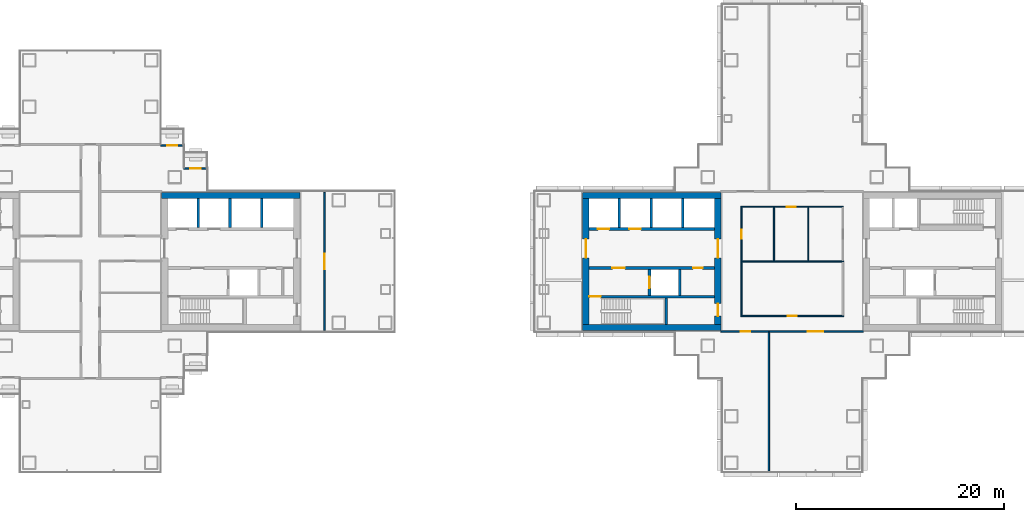
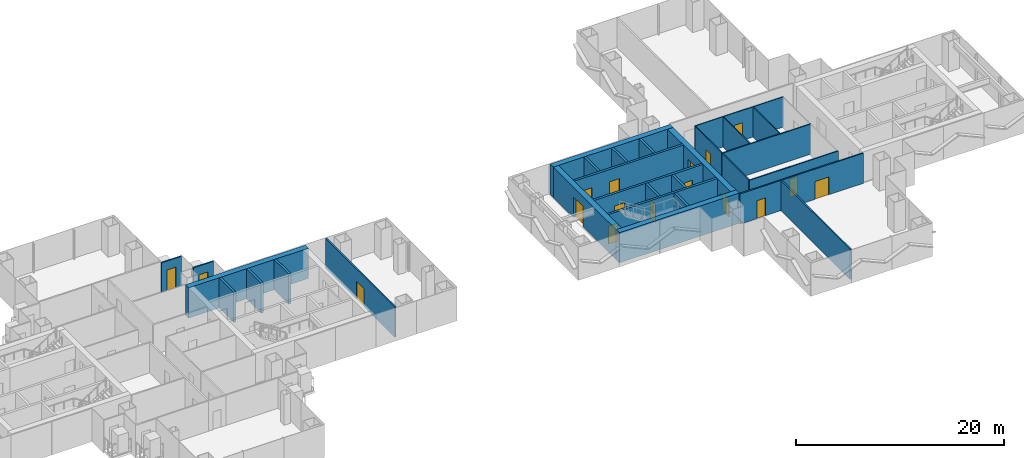
# One storey, part 14 of 20: 29 walls, 17 doors, 17 openings.
"""IFC4 building model written with IfcOpenShell, lengths in metres."""

from ifc_helpers import new_model, si_unit, direction, frame, frame_2d, origin, place, context, subcontext, project, spatial, rectangle, extrude, material, layer, layer_set, type_object, element, fill, save


model = new_model("IFC4")

# Units and contexts
model_context = context("Model", 3, precision=1e-05, world=origin(), true_north=direction((0.0, 1.0)))
body_context = subcontext(model_context, "Body", "Model", "MODEL_VIEW")
ifc_project = project(units=[si_unit("LENGTHUNIT", "METRE"), si_unit("AREAUNIT", "SQUARE_METRE"), si_unit("VOLUMEUNIT", "CUBIC_METRE"), si_unit("PLANEANGLEUNIT", "RADIAN"), si_unit("MASSUNIT", "GRAM", prefix="KILO")], contexts=[model_context])

# Site, building, storey
site_placement = place(None, origin())
site = spatial("IfcSite", under=ifc_project, at=site_placement, CompositionType="ELEMENT")
building_placement = place(site_placement, origin())
building = spatial("IfcBuilding", under=site, at=building_placement, Name="Shamsa Quay Exchange Towers", CompositionType="ELEMENT")
storey_placement = place(building_placement, frame((0.0, 0.0, 105.300048828125)))
storey = spatial("IfcBuildingStorey", under=building, at=storey_placement, Name="L24", CompositionType="ELEMENT", Elevation=105.300048828125)

# Wall, opening, door
ifc_material_1 = material(Name="Aluminium EN AW-6063 T6, black anodised, with black enamelled glass infill", Category="aluminium")
ifc_layer_1 = layer(ifc_material_1, 0.14990234375)
ifc_layer_set_1 = layer_set([ifc_layer_1], Name="BALCONY DOOR BAY WALL 150")
wall_type_1 = type_object("IfcWallType", Name="BALCONY DOOR BAY WALL 150", PredefinedType="SOLIDWALL", material=ifc_layer_set_1)
wall_1_placement = place(storey_placement, frame((-24.75, 8.925048828125, 0.0)))
wall_1 = element("IfcWall", 1, at=wall_1_placement, inside=storey, type_object=wall_type_1, Name="Door bay T1-PKEN L24", PredefinedType="SOLIDWALL", context=body_context, shape_type="SweptSolid", body=[
    extrude(rectangle(XDim=2.25, YDim=0.14990234375, at=frame_2d((1.125, 0.0))), origin(), (0.0, 0.0, 1.0), 3.449951171875),
])
opening_1_placement = place(wall_1_placement, frame((0.625, 0.0, 0.0)))
opening_1 = element("IfcOpeningElement", 2, at=opening_1_placement, cuts=wall_1, Name="Opening XD153", PredefinedType="OPENING", context=body_context, shape_type="SweptSolid", body=[
    extrude(rectangle(XDim=1.0, YDim=2.39990234375, at=frame_2d((0.5, 1.199951171875))), frame((0.0, 0.0849609375, 0.0), z_axis=(0.0, -1.0, 0.0), x_axis=(1.0, 0.0, 0.0)), (0.0, 0.0, 1.0), 0.169921875),
])
ifc_material_2 = material(Name="Aluminium EN AW-6063 T6, black anodised, with laminated glass leaf", Category="aluminium")
door_type_1 = type_object("IfcDoorType", Name="BALCONY DOOR 1000x2400", OperationType="SINGLE_SWING_LEFT", PredefinedType="DOOR", material=ifc_material_2)
door_1_placement = place(opening_1_placement, origin())
door_1 = element("IfcDoor", 3, at=door_1_placement, inside=storey, type_object=door_type_1, Name="Balcony door T1-PKEN L24", OperationType="SINGLE_SWING_RIGHT", OverallHeight=2.39990234375, OverallWidth=1.0, PredefinedType="DOOR", context=body_context, shape_type="SweptSolid", body=[
    extrude(rectangle(XDim=1.0, YDim=2.39990234375, at=frame_2d((0.5, 1.199951171875))), frame((0.0, 0.02490234375, 0.0), z_axis=(0.0, -1.0, 0.0), x_axis=(1.0, 0.0, 0.0)), (0.0, 0.0, 1.0), 0.050048828125),
])
fill(opening_1, door_1)

wall_2_placement = place(storey_placement, frame((-27.0, 11.175048828125, 0.0)))
wall_2 = element("IfcWall", 4, at=wall_2_placement, inside=storey, type_object=wall_type_1, Name="Door bay T1-PKEN L24", PredefinedType="SOLIDWALL", context=body_context, shape_type="SweptSolid", body=[
    extrude(rectangle(XDim=2.25, YDim=0.14990234375, at=frame_2d((1.125, 0.0))), origin(), (0.0, 0.0, 1.0), 3.449951171875),
])
opening_2_placement = place(wall_2_placement, frame((0.625, 0.0, 0.0)))
opening_2 = element("IfcOpeningElement", 5, at=opening_2_placement, cuts=wall_2, Name="Opening XD154", PredefinedType="OPENING", context=body_context, shape_type="SweptSolid", body=[
    extrude(rectangle(XDim=1.0, YDim=2.39990234375, at=frame_2d((0.5, 1.199951171875))), frame((0.0, 0.0849609375, 0.0), z_axis=(0.0, -1.0, 0.0), x_axis=(1.0, 0.0, 0.0)), (0.0, 0.0, 1.0), 0.169921875),
])
door_2_placement = place(opening_2_placement, origin())
door_2 = element("IfcDoor", 6, at=door_2_placement, inside=storey, type_object=door_type_1, Name="Balcony door T1-PKEN L24", OperationType="SINGLE_SWING_LEFT", OverallHeight=2.39990234375, OverallWidth=1.0, PredefinedType="DOOR", context=body_context, shape_type="SweptSolid", body=[
    extrude(rectangle(XDim=1.0, YDim=2.39990234375, at=frame_2d((0.5, 1.199951171875))), frame((0.0, 0.02490234375, 0.0), z_axis=(0.0, -1.0, 0.0), x_axis=(1.0, 0.0, 0.0)), (0.0, 0.0, 1.0), 0.050048828125),
])
fill(opening_2, door_2)

# Walls
ifc_material_3 = material(Name="Concrete C70/85", Category="concrete")
ifc_layer_2 = layer(ifc_material_3, 0.60009765625)
ifc_layer_set_2 = layer_set([ifc_layer_2], Name="CORE WALL 600 C70/85")
wall_type_2 = type_object("IfcWallType", Name="CORE WALL 600 C70/85", PredefinedType="SHEAR", material=ifc_layer_set_2)
for number, where, name in (
    (7, (-26.89990234375, 6.35009765625, 0.0), "Core wall T1A-R10-PN"),
    (8, (13.60009765625, -6.35009765625, 0.0), "Core wall T2A-R10-PS"),
    (9, (13.60009765625, 6.35009765625, 0.0), "Core wall T2A-R10-PN"),
):
    element("IfcWall", number, at=place(storey_placement, frame(where)), inside=storey, type_object=wall_type_2, Name=name, PredefinedType="SHEAR", context=body_context, shape_type="SweptSolid", body=[
        extrude(rectangle(XDim=13.2998046875, YDim=0.60009765625, at=frame_2d((6.64990234375, 0.0))), origin(), (0.0, 0.0, 1.0), 3.550048828125),
    ])

# Wall, opening, door
wall_3_placement = place(storey_placement, frame((13.89990234375, 6.050048828125, 0.0), z_axis=(0.0, 0.0, 1.0), x_axis=(0.0, -1.0, 0.0)))
wall_3 = element("IfcWall", 10, at=wall_3_placement, inside=storey, type_object=wall_type_2, Name="Core wall T2A-R10-PF", PredefinedType="SHEAR", context=body_context, shape_type="SweptSolid", body=[
    extrude(rectangle(XDim=12.10009765625, YDim=0.60009765625, at=frame_2d((6.050048828125, 0.0))), origin(), (0.0, 0.0, 1.0), 3.550048828125),
])
opening_3_placement = place(wall_3_placement, frame((3.89990234375, 0.0, 0.0)))
opening_3 = element("IfcOpeningElement", 11, at=opening_3_placement, cuts=wall_3, Name="Opening T2A-R10-LBD01", PredefinedType="OPENING", context=body_context, shape_type="SweptSolid", body=[
    extrude(rectangle(XDim=1.800048828125, YDim=2.39990234375, at=frame_2d((0.89990234375, 1.199951171875))), frame((0.0, 0.31005859375, 0.0), z_axis=(0.0, -1.0, 0.0), x_axis=(1.0, 0.0, 0.0)), (0.0, 0.0, 1.0), 0.6201171875),
])
ifc_material_4 = material(Name="Steel, fire rated", Category="steel")
door_type_2 = type_object("IfcDoorType", Name="LIFT LOBBY DOOR PAIR 1800", OperationType="DOUBLE_DOOR_SINGLE_SWING", PredefinedType="DOOR", material=ifc_material_4)
door_3_placement = place(opening_3_placement, origin())
door_3 = element("IfcDoor", 12, at=door_3_placement, inside=storey, type_object=door_type_2, Name="T2A-R10-LBD01", OperationType="DOUBLE_DOOR_SINGLE_SWING", OverallHeight=2.39990234375, OverallWidth=1.800048828125, PredefinedType="DOOR", context=body_context, shape_type="SweptSolid", body=[
    extrude(rectangle(XDim=1.800048828125, YDim=2.39990234375, at=frame_2d((0.89990234375, 1.199951171875))), frame((0.0, 0.02490234375, 0.0), z_axis=(0.0, -1.0, 0.0), x_axis=(1.0, 0.0, 0.0)), (0.0, 0.0, 1.0), 0.050048828125),
])
fill(opening_3, door_3)

# Wall, openings, doors
wall_4_placement = place(storey_placement, frame((26.60009765625, 6.050048828125, 0.0), z_axis=(0.0, 0.0, 1.0), x_axis=(0.0, -1.0, 0.0)))
wall_4 = element("IfcWall", 13, at=wall_4_placement, inside=storey, type_object=wall_type_2, Name="Core wall T2A-R10-PB", PredefinedType="SHEAR", context=body_context, shape_type="SweptSolid", body=[
    extrude(rectangle(XDim=12.10009765625, YDim=0.60009765625, at=frame_2d((6.050048828125, 0.0))), origin(), (0.0, 0.0, 1.0), 3.550048828125),
])
opening_4_placement = place(wall_4_placement, frame((10.10009765625, 0.0, 0.0)))
opening_4 = element("IfcOpeningElement", 14, at=opening_4_placement, cuts=wall_4, Name="Opening T2A-R10-RD02", PredefinedType="OPENING", context=body_context, shape_type="SweptSolid", body=[
    extrude(rectangle(XDim=1.199951171875, YDim=2.10009765625, at=frame_2d((0.60009765625, 1.050048828125))), frame((0.0, 0.31005859375, 0.0), z_axis=(0.0, -1.0, 0.0), x_axis=(1.0, 0.0, 0.0)), (0.0, 0.0, 1.0), 0.6201171875),
])
opening_5_placement = place(wall_4_placement, frame((3.89990234375, 0.0, 0.0)))
opening_5 = element("IfcOpeningElement", 15, at=opening_5_placement, cuts=wall_4, Name="Opening T2A-R10-LBD03", PredefinedType="OPENING", context=body_context, shape_type="SweptSolid", body=[
    extrude(rectangle(XDim=1.800048828125, YDim=2.39990234375, at=frame_2d((0.89990234375, 1.199951171875))), frame((0.0, 0.31005859375, 0.0), z_axis=(0.0, -1.0, 0.0), x_axis=(1.0, 0.0, 0.0)), (0.0, 0.0, 1.0), 0.6201171875),
])
door_4_placement = place(opening_5_placement, origin())
door_4 = element("IfcDoor", 16, at=door_4_placement, inside=storey, type_object=door_type_2, Name="T2A-R10-LBD03", OperationType="DOUBLE_DOOR_SINGLE_SWING", OverallHeight=2.39990234375, OverallWidth=1.800048828125, PredefinedType="DOOR", context=body_context, shape_type="SweptSolid", body=[
    extrude(rectangle(XDim=1.800048828125, YDim=2.39990234375, at=frame_2d((0.89990234375, 1.199951171875))), frame((0.0, 0.02490234375, 0.0), z_axis=(0.0, -1.0, 0.0), x_axis=(1.0, 0.0, 0.0)), (0.0, 0.0, 1.0), 0.050048828125),
])
fill(opening_5, door_4)
door_type_3 = type_object("IfcDoorType", Name="RISER ACCESS DOOR 1200", OperationType="SINGLE_SWING_LEFT", PredefinedType="DOOR", material=ifc_material_4)
door_5_placement = place(opening_4_placement, origin())
door_5 = element("IfcDoor", 17, at=door_5_placement, inside=storey, type_object=door_type_3, Name="T2A-R10-RD02", OperationType="SINGLE_SWING_RIGHT", OverallHeight=2.10009765625, OverallWidth=1.199951171875, PredefinedType="DOOR", context=body_context, shape_type="SweptSolid", body=[
    extrude(rectangle(XDim=1.199951171875, YDim=2.10009765625, at=frame_2d((0.60009765625, 1.050048828125))), frame((0.0, 0.02490234375, 0.0), z_axis=(0.0, -1.0, 0.0), x_axis=(1.0, 0.0, 0.0)), (0.0, 0.0, 1.0), 0.050048828125),
])
fill(opening_4, door_5)

# Wall, opening, door
ifc_material_5 = material(Name="Laminated fire-resisting glass in a metal frame", Category="glass")
ifc_layer_3 = layer(ifc_material_5, 0.125)
ifc_layer_set_3 = layer_set([ifc_layer_3], Name="Glazed partition 125 mm EI 60")
wall_type_3 = type_object("IfcWallType", Name="Glazed partition 125 mm EI 60", PredefinedType="PARTITIONING", material=ifc_layer_set_3)
wall_5_placement = place(storey_placement, frame((28.8125, -5.25, 0.0)))
wall_5 = element("IfcWall", 18, at=wall_5_placement, inside=storey, type_object=wall_type_3, Name="Partition T2-R10-W02", PredefinedType="PARTITIONING", context=body_context, shape_type="SweptSolid", body=[
    extrude(rectangle(XDim=9.875, YDim=0.125, at=frame_2d((4.9375, 0.0))), origin(), (0.0, 0.0, 1.0), 3.550048828125),
])
opening_6_placement = place(wall_5_placement, frame((4.487548828125, 0.0, 0.0)))
opening_6 = element("IfcOpeningElement", 19, at=opening_6_placement, cuts=wall_5, Name="Opening T2-R10-D03", PredefinedType="OPENING", context=body_context, shape_type="SweptSolid", body=[
    extrude(rectangle(XDim=0.89990234375, YDim=2.10009765625, at=frame_2d((0.449951171875, 1.050048828125))), frame((0.0, 0.072509765625, 0.0), z_axis=(0.0, -1.0, 0.0), x_axis=(1.0, 0.0, 0.0)), (0.0, 0.0, 1.0), 0.14501953125),
])
ifc_material_6 = material(Name="Timber door leaf in a metal frame", Category="wood")
door_type_4 = type_object("IfcDoorType", Name="Door 900x2100 FD30S", OperationType="NOTDEFINED", PredefinedType="DOOR", material=ifc_material_6)
door_6_placement = place(opening_6_placement, origin())
door_6 = element("IfcDoor", 20, at=door_6_placement, inside=storey, type_object=door_type_4, Name="Door T2-R10-D03", OperationType="SINGLE_SWING_RIGHT", OverallHeight=2.10009765625, OverallWidth=0.89990234375, PredefinedType="DOOR", context=body_context, shape_type="SweptSolid", body=[
    extrude(rectangle(XDim=0.89990234375, YDim=2.10009765625, at=frame_2d((0.449951171875, 1.050048828125))), frame((0.0, 0.02490234375, 0.0), z_axis=(0.0, -1.0, 0.0), x_axis=(1.0, 0.0, 0.0)), (0.0, 0.0, 1.0), 0.050048828125),
])
fill(opening_6, door_6)

# Walls
wall_6_placement = place(storey_placement, frame((28.875, -0.0625, 0.0), z_axis=(0.0, 0.0, 1.0), x_axis=(0.0, -1.0, 0.0)))
element("IfcWall", 21, at=wall_6_placement, inside=storey, type_object=wall_type_3, Name="Partition T2-R10-W03", PredefinedType="PARTITIONING", context=body_context, shape_type="SweptSolid", body=[
    extrude(rectangle(XDim=5.125, YDim=0.125, at=frame_2d((2.5625, 0.0))), origin(), (0.0, 0.0, 1.0), 3.550048828125),
])
wall_7_placement = place(storey_placement, frame((38.6875, 0.0, 0.0), z_axis=(0.0, 0.0, 1.0), x_axis=(-1.0, 0.0, 0.0)))
element("IfcWall", 22, at=wall_7_placement, inside=storey, type_object=wall_type_3, Name="Partition T2-R10-W09", PredefinedType="PARTITIONING", context=body_context, shape_type="SweptSolid", body=[
    extrude(rectangle(XDim=9.875, YDim=0.125, at=frame_2d((4.9375, 0.0))), origin(), (0.0, 0.0, 1.0), 3.550048828125),
])

# Wall, opening, door
ifc_material_7 = material(Name="Gypsum board partition on metal studs")
ifc_layer_4 = layer(ifc_material_7, 0.10009765625)
ifc_layer_set_4 = layer_set([ifc_layer_4], Name="Partition 100 mm NOT RATED")
wall_type_4 = type_object("IfcWallType", Name="Partition 100 mm NOT RATED", PredefinedType="PARTITIONING", material=ifc_layer_set_4)
wall_8_placement = place(storey_placement, frame((38.675048828125, 5.25, 0.0), z_axis=(0.0, 0.0, 1.0), x_axis=(-1.0, 0.0, 0.0)))
wall_8 = element("IfcWall", 23, at=wall_8_placement, inside=storey, type_object=wall_type_4, Name="Partition T2-R10-W05", PredefinedType="PARTITIONING", context=body_context, shape_type="SweptSolid", body=[
    extrude(rectangle(XDim=9.85009765625, YDim=0.10009765625, at=frame_2d((4.925048828125, 0.0))), origin(), (0.0, 0.0, 1.0), 3.550048828125),
])
opening_7_placement = place(wall_8_placement, frame((4.568603515625, 0.0, 0.0)))
opening_7 = element("IfcOpeningElement", 24, at=opening_7_placement, cuts=wall_8, Name="Opening T2-R10-D06", PredefinedType="OPENING", context=body_context, shape_type="SweptSolid", body=[
    extrude(rectangle(XDim=0.89990234375, YDim=2.10009765625, at=frame_2d((0.449951171875, 1.050048828125))), frame((0.0, 0.06005859375, 0.0), z_axis=(0.0, -1.0, 0.0), x_axis=(1.0, 0.0, 0.0)), (0.0, 0.0, 1.0), 0.1201171875),
])
door_type_5 = type_object("IfcDoorType", Name="Door 900x2100 NOT RATED", OperationType="NOTDEFINED", PredefinedType="DOOR", material=ifc_material_6)
door_7_placement = place(opening_7_placement, origin())
door_7 = element("IfcDoor", 25, at=door_7_placement, inside=storey, type_object=door_type_5, Name="Door T2-R10-D06", OperationType="SINGLE_SWING_LEFT", OverallHeight=2.10009765625, OverallWidth=0.89990234375, PredefinedType="DOOR", context=body_context, shape_type="SweptSolid", body=[
    extrude(rectangle(XDim=0.89990234375, YDim=2.10009765625, at=frame_2d((0.449951171875, 1.050048828125))), frame((0.0, 0.02490234375, 0.0), z_axis=(0.0, -1.0, 0.0), x_axis=(1.0, 0.0, 0.0)), (0.0, 0.0, 1.0), 0.050048828125),
])
fill(opening_7, door_7)

wall_9_placement = place(storey_placement, frame((28.875, 5.199951171875, 0.0), z_axis=(0.0, 0.0, 1.0), x_axis=(0.0, -1.0, 0.0)))
wall_9 = element("IfcWall", 26, at=wall_9_placement, inside=storey, type_object=wall_type_4, Name="Partition T2-R10-W06", PredefinedType="PARTITIONING", context=body_context, shape_type="SweptSolid", body=[
    extrude(rectangle(XDim=5.137451171875, YDim=0.10009765625, at=frame_2d((2.56884765625, 0.0))), origin(), (0.0, 0.0, 1.0), 3.550048828125),
])
opening_8_placement = place(wall_9_placement, frame((2.125, 0.0, 0.0)))
opening_8 = element("IfcOpeningElement", 27, at=opening_8_placement, cuts=wall_9, Name="Opening T2-R10-D05", PredefinedType="OPENING", context=body_context, shape_type="SweptSolid", body=[
    extrude(rectangle(XDim=0.89990234375, YDim=2.10009765625, at=frame_2d((0.449951171875, 1.050048828125))), frame((0.0, 0.06005859375, 0.0), z_axis=(0.0, -1.0, 0.0), x_axis=(1.0, 0.0, 0.0)), (0.0, 0.0, 1.0), 0.1201171875),
])
door_8_placement = place(opening_8_placement, origin())
door_8 = element("IfcDoor", 28, at=door_8_placement, inside=storey, type_object=door_type_5, Name="Door T2-R10-D05", OperationType="SINGLE_SWING_RIGHT", OverallHeight=2.10009765625, OverallWidth=0.89990234375, PredefinedType="DOOR", context=body_context, shape_type="SweptSolid", body=[
    extrude(rectangle(XDim=0.89990234375, YDim=2.10009765625, at=frame_2d((0.449951171875, 1.050048828125))), frame((0.0, 0.02490234375, 0.0), z_axis=(0.0, -1.0, 0.0), x_axis=(1.0, 0.0, 0.0)), (0.0, 0.0, 1.0), 0.050048828125),
])
fill(opening_8, door_8)

# Walls
for number, where, z_axis, x_axis, name in (
    (29, (35.3125, 5.199951171875, 0.0), (0.0, 0.0, 1.0), (0.0, -1.0, 0.0), "Partition T2-R10-W10"),
    (30, (32.0, 5.199951171875, 0.0), (0.0, 0.0, 1.0), (0.0, -1.0, 0.0), "Partition T2-R10-W11"),
):
    element("IfcWall", number, at=place(storey_placement, frame(where, z_axis=z_axis, x_axis=x_axis)), inside=storey, type_object=wall_type_4, Name=name, PredefinedType="PARTITIONING", context=body_context, shape_type="SweptSolid", body=[
        extrude(rectangle(XDim=5.137451171875, YDim=0.10009765625, at=frame_2d((2.56884765625, 0.0))), origin(), (0.0, 0.0, 1.0), 3.550048828125),
    ])

# Wall, opening, door
ifc_layer_5 = layer(ifc_material_7, 0.14990234375)
ifc_layer_set_5 = layer_set([ifc_layer_5], Name="Partition 150 mm EI 60")
wall_type_5 = type_object("IfcWallType", Name="Partition 150 mm EI 60", PredefinedType="PARTITIONING", material=ifc_layer_set_5)
wall_10_placement = place(storey_placement, frame((-11.25, 6.655029296875, 0.0), z_axis=(0.0, 0.0, 1.0), x_axis=(0.0, -1.0, 0.0)))
wall_10 = element("IfcWall", 31, at=wall_10_placement, inside=storey, type_object=wall_type_5, Name="Partition T1-R10-W13", PredefinedType="PARTITIONING", context=body_context, shape_type="SweptSolid", body=[
    extrude(rectangle(XDim=13.31005859375, YDim=0.14990234375, at=frame_2d((6.655029296875, 0.0))), origin(), (0.0, 0.0, 1.0), 3.550048828125),
])
opening_9_placement = place(wall_10_placement, frame((5.905029296875, 0.0, 0.0)))
opening_9 = element("IfcOpeningElement", 32, at=opening_9_placement, cuts=wall_10, Name="Opening T1-R10-D12", PredefinedType="OPENING", context=body_context, shape_type="SweptSolid", body=[
    extrude(rectangle(XDim=1.5, YDim=2.10009765625, at=frame_2d((0.75, 1.050048828125))), frame((0.0, 0.0849609375, 0.0), z_axis=(0.0, -1.0, 0.0), x_axis=(1.0, 0.0, 0.0)), (0.0, 0.0, 1.0), 0.169921875),
])
door_type_6 = type_object("IfcDoorType", Name="Door 1500x2100 FD30S pair", OperationType="NOTDEFINED", PredefinedType="DOOR", material=ifc_material_6)
door_9_placement = place(opening_9_placement, origin())
door_9 = element("IfcDoor", 33, at=door_9_placement, inside=storey, type_object=door_type_6, Name="Door T1-R10-D12", OperationType="DOUBLE_DOOR_SINGLE_SWING", OverallHeight=2.10009765625, OverallWidth=1.5, PredefinedType="DOOR", context=body_context, shape_type="SweptSolid", body=[
    extrude(rectangle(XDim=1.5, YDim=2.10009765625, at=frame_2d((0.75, 1.050048828125))), frame((0.0, 0.02490234375, 0.0), z_axis=(0.0, -1.0, 0.0), x_axis=(1.0, 0.0, 0.0)), (0.0, 0.0, 1.0), 0.050048828125),
])
fill(opening_9, door_9)

# Wall, openings, doors
wall_11_placement = place(storey_placement, frame((40.60009765625, -6.75, 0.0), z_axis=(0.0, 0.0, 1.0), x_axis=(-1.0, 0.0, 0.0)))
wall_11 = element("IfcWall", 34, at=wall_11_placement, inside=storey, type_object=wall_type_5, Name="Partition T2-R10-W08", PredefinedType="PARTITIONING", context=body_context, shape_type="SweptSolid", body=[
    extrude(rectangle(XDim=13.7001953125, YDim=0.14990234375, at=frame_2d((6.85009765625, 0.0))), origin(), (0.0, 0.0, 1.0), 3.550048828125),
])
opening_10_placement = place(wall_11_placement, frame((10.89990234375, 0.0, 0.0)))
opening_10 = element("IfcOpeningElement", 35, at=opening_10_placement, cuts=wall_11, Name="Opening T2-R10-D07", PredefinedType="OPENING", context=body_context, shape_type="SweptSolid", body=[
    extrude(rectangle(XDim=0.89990234375, YDim=2.10009765625, at=frame_2d((0.449951171875, 1.050048828125))), frame((0.0, 0.0849609375, 0.0), z_axis=(0.0, -1.0, 0.0), x_axis=(1.0, 0.0, 0.0)), (0.0, 0.0, 1.0), 0.169921875),
])
opening_11_placement = place(wall_11_placement, frame((3.85009765625, 0.0, 0.0)))
opening_11 = element("IfcOpeningElement", 36, at=opening_11_placement, cuts=wall_11, Name="Opening T2-R10-D08", PredefinedType="OPENING", context=body_context, shape_type="SweptSolid", body=[
    extrude(rectangle(XDim=1.5, YDim=2.10009765625, at=frame_2d((0.75, 1.050048828125))), frame((0.0, 0.0849609375, 0.0), z_axis=(0.0, -1.0, 0.0), x_axis=(1.0, 0.0, 0.0)), (0.0, 0.0, 1.0), 0.169921875),
])
door_10_placement = place(opening_11_placement, origin())
door_10 = element("IfcDoor", 37, at=door_10_placement, inside=storey, type_object=door_type_6, Name="Door T2-R10-D08", OperationType="DOUBLE_DOOR_SINGLE_SWING", OverallHeight=2.10009765625, OverallWidth=1.5, PredefinedType="DOOR", context=body_context, shape_type="SweptSolid", body=[
    extrude(rectangle(XDim=1.5, YDim=2.10009765625, at=frame_2d((0.75, 1.050048828125))), frame((0.0, 0.02490234375, 0.0), z_axis=(0.0, -1.0, 0.0), x_axis=(1.0, 0.0, 0.0)), (0.0, 0.0, 1.0), 0.050048828125),
])
fill(opening_11, door_10)
door_11_placement = place(opening_10_placement, origin())
door_11 = element("IfcDoor", 38, at=door_11_placement, inside=storey, type_object=door_type_4, Name="Door T2-R10-D07", OperationType="SINGLE_SWING_LEFT", OverallHeight=2.10009765625, OverallWidth=0.89990234375, PredefinedType="DOOR", context=body_context, shape_type="SweptSolid", body=[
    extrude(rectangle(XDim=0.89990234375, YDim=2.10009765625, at=frame_2d((0.449951171875, 1.050048828125))), frame((0.0, 0.02490234375, 0.0), z_axis=(0.0, -1.0, 0.0), x_axis=(1.0, 0.0, 0.0)), (0.0, 0.0, 1.0), 0.050048828125),
])
fill(opening_10, door_11)

# Walls
wall_12_placement = place(storey_placement, frame((31.5, -6.824951171875, 0.0), z_axis=(0.0, 0.0, 1.0), x_axis=(0.0, -1.0, 0.0)))
element("IfcWall", 39, at=wall_12_placement, inside=storey, type_object=wall_type_5, Name="Partition T2-R10-W12", PredefinedType="PARTITIONING", context=body_context, shape_type="SweptSolid", body=[
    extrude(rectangle(XDim=13.330078125, YDim=0.14990234375, at=frame_2d((6.6650390625, 0.0))), origin(), (0.0, 0.0, 1.0), 3.550048828125),
])
ifc_material_8 = material(Name="Concrete C50/60", Category="concrete")
ifc_layer_6 = layer(ifc_material_8, 0.25)
ifc_layer_set_6 = layer_set([ifc_layer_6], Name="SHAFT WALL 250 C50/60")
wall_type_6 = type_object("IfcWallType", Name="SHAFT WALL 250 C50/60", PredefinedType="SHEAR", material=ifc_layer_set_6)
for number, where, z_axis, x_axis, name in (
    (40, (-23.375, 3.25, 0.0), (0.0, 0.0, 1.0), (0.0, 1.0, 0.0), "Shaft wall T1A-R10-D0"),
    (41, (-20.324951171875, 3.25, 0.0), (0.0, 0.0, 1.0), (0.0, 1.0, 0.0), "Shaft wall T1A-R10-D1"),
    (42, (-17.27490234375, 3.25, 0.0), (0.0, 0.0, 1.0), (0.0, 1.0, 0.0), "Shaft wall T1A-R10-D2"),
):
    element("IfcWall", number, at=place(storey_placement, frame(where, z_axis=z_axis, x_axis=x_axis)), inside=storey, type_object=wall_type_6, Name=name, PredefinedType="SHEAR", context=body_context, shape_type="SweptSolid", body=[
        extrude(rectangle(XDim=2.800048828125, YDim=0.25, at=frame_2d((1.39990234375, 0.0))), origin(), (0.0, 0.0, 1.0), 3.550048828125),
    ])

# Wall, opening, door
wall_13_placement = place(storey_placement, frame((26.300048828125, -3.375, 0.0), z_axis=(0.0, 0.0, 1.0), x_axis=(-1.0, 0.0, 0.0)))
wall_13 = element("IfcWall", 43, at=wall_13_placement, inside=storey, type_object=wall_type_6, Name="Shaft wall T2A-R10-STL", PredefinedType="SHEAR", context=body_context, shape_type="SweptSolid", body=[
    extrude(rectangle(XDim=12.10009765625, YDim=0.25, at=frame_2d((6.050048828125, 0.0))), origin(), (0.0, 0.0, 1.0), 3.550048828125),
])
opening_12_placement = place(wall_13_placement, frame((10.949951171875, 0.0, 0.0)))
opening_12 = element("IfcOpeningElement", 44, at=opening_12_placement, cuts=wall_13, Name="Opening T2A-R10-SD04", PredefinedType="OPENING", context=body_context, shape_type="SweptSolid", body=[
    extrude(rectangle(XDim=1.10009765625, YDim=2.10009765625, at=frame_2d((0.550048828125, 1.050048828125))), frame((0.0, 0.135009765625, 0.0), z_axis=(0.0, -1.0, 0.0), x_axis=(1.0, 0.0, 0.0)), (0.0, 0.0, 1.0), 0.27001953125),
])
door_type_7 = type_object("IfcDoorType", Name="STAIR DOOR 1100", OperationType="SINGLE_SWING_LEFT", PredefinedType="DOOR", material=ifc_material_4)
door_12_placement = place(opening_12_placement, origin())
door_12 = element("IfcDoor", 45, at=door_12_placement, inside=storey, type_object=door_type_7, Name="T2A-R10-SD04", OperationType="SINGLE_SWING_RIGHT", OverallHeight=2.10009765625, OverallWidth=1.10009765625, PredefinedType="DOOR", context=body_context, shape_type="SweptSolid", body=[
    extrude(rectangle(XDim=1.10009765625, YDim=2.10009765625, at=frame_2d((0.550048828125, 1.050048828125))), frame((0.0, 0.02490234375, 0.0), z_axis=(0.0, -1.0, 0.0), x_axis=(1.0, 0.0, 0.0)), (0.0, 0.0, 1.0), 0.050048828125),
])
fill(opening_12, door_12)

# Wall
wall_14_placement = place(storey_placement, frame((21.625, -6.050048828125, 0.0), z_axis=(0.0, 0.0, 1.0), x_axis=(0.0, 1.0, 0.0)))
element("IfcWall", 46, at=wall_14_placement, inside=storey, type_object=wall_type_6, Name="Shaft wall T2A-R10-STF", PredefinedType="SHEAR", context=body_context, shape_type="SweptSolid", body=[
    extrude(rectangle(XDim=2.550048828125, YDim=0.25, at=frame_2d((1.27490234375, 0.0))), origin(), (0.0, 0.0, 1.0), 3.550048828125),
])

# Wall, openings, doors
wall_15_placement = place(storey_placement, frame((26.300048828125, -0.625, 0.0), z_axis=(0.0, 0.0, 1.0), x_axis=(-1.0, 0.0, 0.0)))
wall_15 = element("IfcWall", 47, at=wall_15_placement, inside=storey, type_object=wall_type_6, Name="Shaft wall T2A-R10-B", PredefinedType="SHEAR", context=body_context, shape_type="SweptSolid", body=[
    extrude(rectangle(XDim=12.10009765625, YDim=0.25, at=frame_2d((6.050048828125, 0.0))), origin(), (0.0, 0.0, 1.0), 3.550048828125),
])
opening_13_placement = place(wall_15_placement, frame((8.64990234375, 0.0, 0.0)))
opening_13 = element("IfcOpeningElement", 48, at=opening_13_placement, cuts=wall_15, Name="Opening T2A-R10-FD05", PredefinedType="OPENING", context=body_context, shape_type="SweptSolid", body=[
    extrude(rectangle(XDim=1.199951171875, YDim=2.10009765625, at=frame_2d((0.60009765625, 1.050048828125))), frame((0.0, 0.135009765625, 0.0), z_axis=(0.0, -1.0, 0.0), x_axis=(1.0, 0.0, 0.0)), (0.0, 0.0, 1.0), 0.27001953125),
])
opening_14_placement = place(wall_15_placement, frame((1.175048828125, 0.0, 0.0)))
opening_14 = element("IfcOpeningElement", 49, at=opening_14_placement, cuts=wall_15, Name="Opening T2A-R10-SV06", PredefinedType="OPENING", context=body_context, shape_type="SweptSolid", body=[
    extrude(rectangle(XDim=0.89990234375, YDim=2.10009765625, at=frame_2d((0.449951171875, 1.050048828125))), frame((0.0, 0.135009765625, 0.0), z_axis=(0.0, -1.0, 0.0), x_axis=(1.0, 0.0, 0.0)), (0.0, 0.0, 1.0), 0.27001953125),
])
door_type_8 = type_object("IfcDoorType", Name="FIRE SERVICE LOBBY DOOR 1200", OperationType="SINGLE_SWING_LEFT", PredefinedType="DOOR", material=ifc_material_4)
door_13_placement = place(opening_13_placement, origin())
door_13 = element("IfcDoor", 50, at=door_13_placement, inside=storey, type_object=door_type_8, Name="T2A-R10-FD05", OperationType="SINGLE_SWING_RIGHT", OverallHeight=2.10009765625, OverallWidth=1.199951171875, PredefinedType="DOOR", context=body_context, shape_type="SweptSolid", body=[
    extrude(rectangle(XDim=1.199951171875, YDim=2.10009765625, at=frame_2d((0.60009765625, 1.050048828125))), frame((0.0, 0.02490234375, 0.0), z_axis=(0.0, -1.0, 0.0), x_axis=(1.0, 0.0, 0.0)), (0.0, 0.0, 1.0), 0.050048828125),
])
fill(opening_13, door_13)
door_type_9 = type_object("IfcDoorType", Name="SERVICE ROOM DOOR 900", OperationType="SINGLE_SWING_LEFT", PredefinedType="DOOR", material=ifc_material_4)
door_14_placement = place(opening_14_placement, origin())
door_14 = element("IfcDoor", 51, at=door_14_placement, inside=storey, type_object=door_type_9, Name="T2A-R10-SV06", OperationType="SINGLE_SWING_LEFT", OverallHeight=2.10009765625, OverallWidth=0.89990234375, PredefinedType="DOOR", context=body_context, shape_type="SweptSolid", body=[
    extrude(rectangle(XDim=0.89990234375, YDim=2.10009765625, at=frame_2d((0.449951171875, 1.050048828125))), frame((0.0, 0.02490234375, 0.0), z_axis=(0.0, -1.0, 0.0), x_axis=(1.0, 0.0, 0.0)), (0.0, 0.0, 1.0), 0.050048828125),
])
fill(opening_14, door_14)

# Wall, opening, door
wall_16_placement = place(storey_placement, frame((20.02490234375, -3.25, 0.0), z_axis=(0.0, 0.0, 1.0), x_axis=(0.0, 1.0, 0.0)))
wall_16 = element("IfcWall", 52, at=wall_16_placement, inside=storey, type_object=wall_type_6, Name="Shaft wall T2A-R10-FFF", PredefinedType="SHEAR", context=body_context, shape_type="SweptSolid", body=[
    extrude(rectangle(XDim=2.5, YDim=0.25, at=frame_2d((1.25, 0.0))), origin(), (0.0, 0.0, 1.0), 3.550048828125),
])
opening_15_placement = place(wall_16_placement, frame((0.699951171875, 0.0, 0.0)))
opening_15 = element("IfcOpeningElement", 53, at=opening_15_placement, cuts=wall_16, Name="Opening T2A-R10-LDF07", PredefinedType="OPENING", context=body_context, shape_type="SweptSolid", body=[
    extrude(rectangle(XDim=1.10009765625, YDim=2.10009765625, at=frame_2d((0.550048828125, 1.050048828125))), frame((0.0, 0.135009765625, 0.0), z_axis=(0.0, -1.0, 0.0), x_axis=(1.0, 0.0, 0.0)), (0.0, 0.0, 1.0), 0.27001953125),
])
door_type_10 = type_object("IfcDoorType", Name="FIRE SERVICE LANDING DOOR 1100", OperationType="SLIDING_TO_LEFT", PredefinedType="DOOR", material=ifc_material_4)
door_15_placement = place(opening_15_placement, origin())
door_15 = element("IfcDoor", 54, at=door_15_placement, inside=storey, type_object=door_type_10, Name="T2A-R10-LDF07", OperationType="SLIDING_TO_LEFT", OverallHeight=2.10009765625, OverallWidth=1.10009765625, PredefinedType="DOOR", context=body_context, shape_type="SweptSolid", body=[
    extrude(rectangle(XDim=1.10009765625, YDim=2.10009765625, at=frame_2d((0.550048828125, 1.050048828125))), frame((0.0, 0.02490234375, 0.0), z_axis=(0.0, -1.0, 0.0), x_axis=(1.0, 0.0, 0.0)), (0.0, 0.0, 1.0), 0.050048828125),
])
fill(opening_15, door_15)

# Wall
wall_17_placement = place(storey_placement, frame((22.925048828125, -3.25, 0.0), z_axis=(0.0, 0.0, 1.0), x_axis=(0.0, 1.0, 0.0)))
element("IfcWall", 55, at=wall_17_placement, inside=storey, type_object=wall_type_6, Name="Shaft wall T2A-R10-FFB", PredefinedType="SHEAR", context=body_context, shape_type="SweptSolid", body=[
    extrude(rectangle(XDim=2.5, YDim=0.25, at=frame_2d((1.25, 0.0))), origin(), (0.0, 0.0, 1.0), 3.550048828125),
])

# Wall, openings, doors
wall_18_placement = place(storey_placement, frame((14.199951171875, 3.125, 0.0)))
wall_18 = element("IfcWall", 56, at=wall_18_placement, inside=storey, type_object=wall_type_6, Name="Shaft wall T2A-R10-N", PredefinedType="SHEAR", context=body_context, shape_type="SweptSolid", body=[
    extrude(rectangle(XDim=12.10009765625, YDim=0.25, at=frame_2d((6.050048828125, 0.0))), origin(), (0.0, 0.0, 1.0), 3.550048828125),
])
opening_16_placement = place(wall_18_placement, frame((0.85009765625, 0.0, 0.0)))
opening_16 = element("IfcOpeningElement", 57, at=opening_16_placement, cuts=wall_18, Name="Opening T2A-R10-LD08", PredefinedType="OPENING", context=body_context, shape_type="SweptSolid", body=[
    extrude(rectangle(XDim=1.10009765625, YDim=2.10009765625, at=frame_2d((0.550048828125, 1.050048828125))), frame((0.0, 0.135009765625, 0.0), z_axis=(0.0, -1.0, 0.0), x_axis=(1.0, 0.0, 0.0)), (0.0, 0.0, 1.0), 0.27001953125),
])
opening_17_placement = place(wall_18_placement, frame((3.89990234375, 0.0, 0.0)))
opening_17 = element("IfcOpeningElement", 58, at=opening_17_placement, cuts=wall_18, Name="Opening T2A-R10-LD09", PredefinedType="OPENING", context=body_context, shape_type="SweptSolid", body=[
    extrude(rectangle(XDim=1.10009765625, YDim=2.10009765625, at=frame_2d((0.550048828125, 1.050048828125))), frame((0.0, 0.135009765625, 0.0), z_axis=(0.0, -1.0, 0.0), x_axis=(1.0, 0.0, 0.0)), (0.0, 0.0, 1.0), 0.27001953125),
])
door_type_11 = type_object("IfcDoorType", Name="LANDING DOOR 1100", OperationType="SLIDING_TO_LEFT", PredefinedType="DOOR", material=ifc_material_4)
door_16_placement = place(opening_16_placement, origin())
door_16 = element("IfcDoor", 59, at=door_16_placement, inside=storey, type_object=door_type_11, Name="T2A-R10-LD08", OperationType="SLIDING_TO_LEFT", OverallHeight=2.10009765625, OverallWidth=1.10009765625, PredefinedType="DOOR", context=body_context, shape_type="SweptSolid", body=[
    extrude(rectangle(XDim=1.10009765625, YDim=2.10009765625, at=frame_2d((0.550048828125, 1.050048828125))), frame((0.0, 0.02490234375, 0.0), z_axis=(0.0, -1.0, 0.0), x_axis=(1.0, 0.0, 0.0)), (0.0, 0.0, 1.0), 0.050048828125),
])
fill(opening_16, door_16)
door_17_placement = place(opening_17_placement, origin())
door_17 = element("IfcDoor", 60, at=door_17_placement, inside=storey, type_object=door_type_11, Name="T2A-R10-LD09", OperationType="SLIDING_TO_LEFT", OverallHeight=2.10009765625, OverallWidth=1.10009765625, PredefinedType="DOOR", context=body_context, shape_type="SweptSolid", body=[
    extrude(rectangle(XDim=1.10009765625, YDim=2.10009765625, at=frame_2d((0.550048828125, 1.050048828125))), frame((0.0, 0.02490234375, 0.0), z_axis=(0.0, -1.0, 0.0), x_axis=(1.0, 0.0, 0.0)), (0.0, 0.0, 1.0), 0.050048828125),
])
fill(opening_17, door_17)

# Walls
for number, where, z_axis, x_axis, name in (
    (61, (17.125, 3.25, 0.0), (0.0, 0.0, 1.0), (0.0, 1.0, 0.0), "Shaft wall T2A-R10-D0"),
    (62, (20.175048828125, 3.25, 0.0), (0.0, 0.0, 1.0), (0.0, 1.0, 0.0), "Shaft wall T2A-R10-D1"),
    (63, (23.22509765625, 3.25, 0.0), (0.0, 0.0, 1.0), (0.0, 1.0, 0.0), "Shaft wall T2A-R10-D2"),
):
    element("IfcWall", number, at=place(storey_placement, frame(where, z_axis=z_axis, x_axis=x_axis)), inside=storey, type_object=wall_type_6, Name=name, PredefinedType="SHEAR", context=body_context, shape_type="SweptSolid", body=[
        extrude(rectangle(XDim=2.800048828125, YDim=0.25, at=frame_2d((1.39990234375, 0.0))), origin(), (0.0, 0.0, 1.0), 3.550048828125),
    ])

save(model, "model.ifc")
